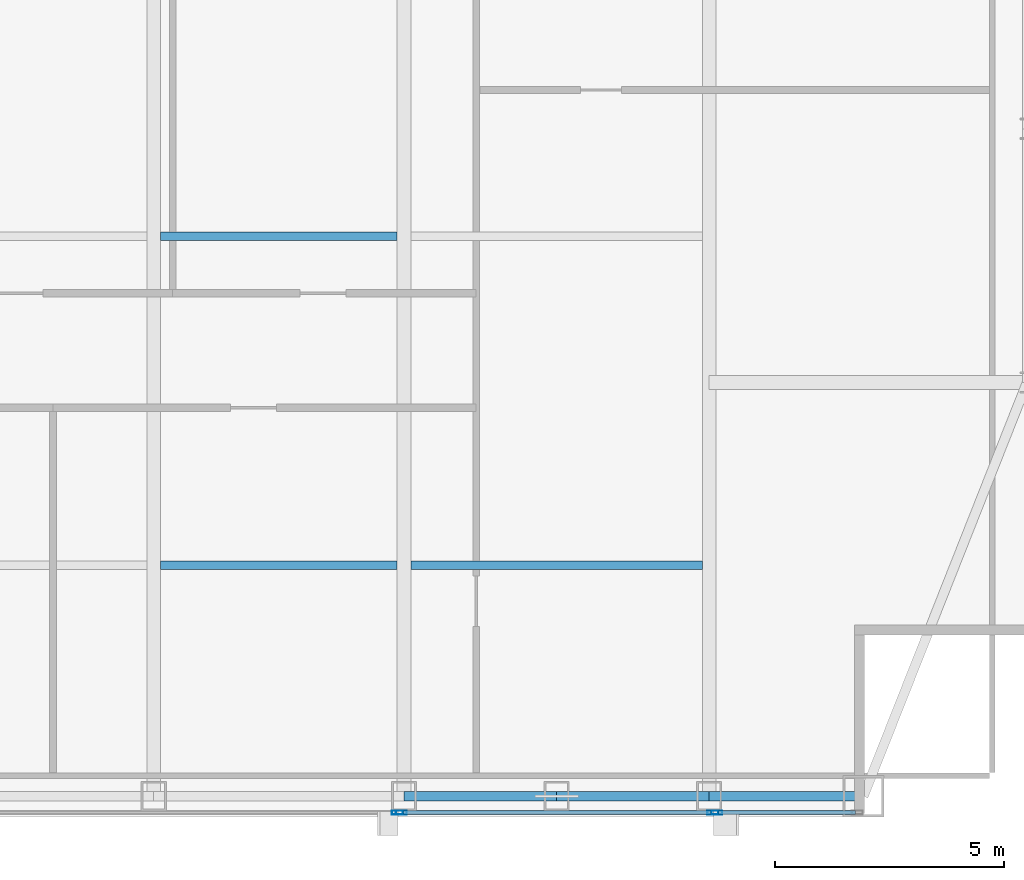
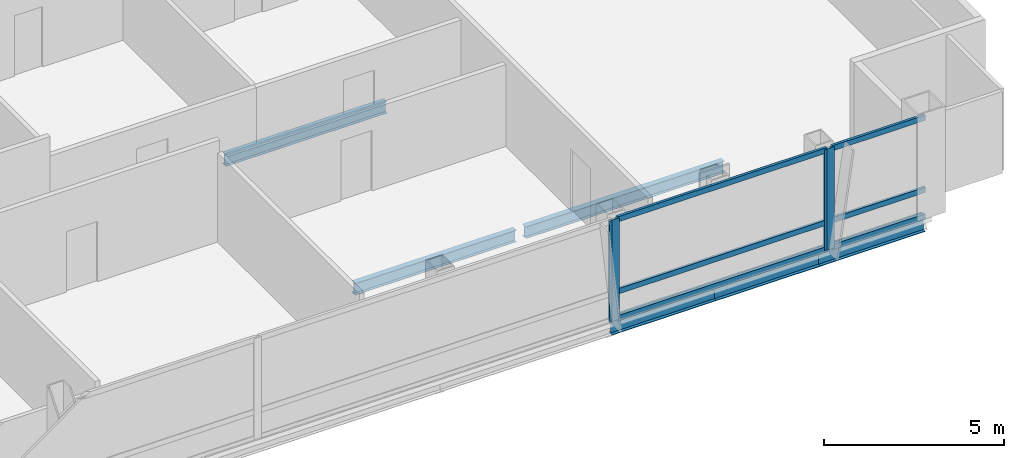
# One storey, part 11 of 25: 10 members, 6 beams, 3 elements without a shape of their own.
"""IFC4 building model written with IfcOpenShell, lengths in metres."""

from ifc_helpers import new_model, si_unit, direction, frame, origin, origin_2d, place, context, subcontext, project, spatial, hollow_rectangle, i_section, extrude, material, material_profile, profile_set, type_object, element, aggregate, save


model = new_model("IFC4")

# Units and contexts
model_context = context("Model", 3, precision=1e-05, world=origin(), true_north=direction((0.0, 1.0)))
body_context = subcontext(model_context, "Body", "Model", "MODEL_VIEW")
ifc_project = project(units=[si_unit("LENGTHUNIT", "METRE"), si_unit("AREAUNIT", "SQUARE_METRE"), si_unit("VOLUMEUNIT", "CUBIC_METRE"), si_unit("PLANEANGLEUNIT", "RADIAN"), si_unit("MASSUNIT", "GRAM", prefix="KILO")], contexts=[model_context])

# Site, building, storey
site_placement = place(None, origin())
site = spatial("IfcSite", under=ifc_project, at=site_placement, CompositionType="ELEMENT")
building_placement = place(site_placement, origin())
building = spatial("IfcBuilding", under=site, at=building_placement, Name="Khoronbel Lancet Exchange", CompositionType="ELEMENT")
storey_placement = place(building_placement, frame((0.0, 0.0, 298.60009765625)))
storey = spatial("IfcBuildingStorey", under=building, at=storey_placement, Name="L77", CompositionType="ELEMENT", Elevation=298.60009765625)

# Beams
ifc_material_1 = material(Name="Steel S355", Category="steel")
ifc_material_profile_1 = material_profile(ifc_material_1, i_section(OverallWidth=0.179931640625, OverallDepth=0.39990234375, WebThickness=0.008544921875, FlangeThickness=0.013427734375, at=origin_2d()), Name="IPE 400")
ifc_profile_set_1 = profile_set([ifc_material_profile_1], Name="Steel S355")
beam_type_1 = type_object("IfcBeamType", Name="BM-BJ5", PredefinedType="JOIST", material=ifc_profile_set_1)
beam_1_placement = place(storey_placement, frame((42.675048828125, 15.199951171875, -0.360107421875), z_axis=(1.0, 0.0, 0.0), x_axis=(0.0, 1.0, 0.0)))
element("IfcBeam", 1, at=beam_1_placement, inside=storey, type_object=beam_type_1, Name="Level L77 secondary composite joist J04", PredefinedType="JOIST", context=body_context, shape_type="SweptSolid", body=[
    extrude(i_section(OverallWidth=0.179931640625, OverallDepth=0.39990234375, WebThickness=0.008544921875, FlangeThickness=0.013427734375, at=origin_2d()), origin(), (0.0, 0.0, 1.0), 5.175048828125),
])
beam_2_placement = place(storey_placement, frame((48.14990234375, 15.199951171875, -0.360107421875), z_axis=(1.0, 0.0, 0.0), x_axis=(0.0, 1.0, 0.0)))
element("IfcBeam", 2, at=beam_2_placement, inside=storey, type_object=beam_type_1, Name="Level L77 secondary composite joist J05", PredefinedType="JOIST", context=body_context, shape_type="SweptSolid", body=[
    extrude(i_section(OverallWidth=0.179931640625, OverallDepth=0.39990234375, WebThickness=0.008544921875, FlangeThickness=0.013427734375, at=origin_2d()), origin(), (0.0, 0.0, 1.0), 6.375),
])
beam_3_placement = place(storey_placement, frame((42.675048828125, 22.39990234375, -0.360107421875), z_axis=(1.0, 0.0, 0.0), x_axis=(0.0, 1.0, 0.0)))
element("IfcBeam", 3, at=beam_3_placement, inside=storey, type_object=beam_type_1, Name="Level L77 secondary composite joist J09", PredefinedType="JOIST", context=body_context, shape_type="SweptSolid", body=[
    extrude(i_section(OverallWidth=0.179931640625, OverallDepth=0.39990234375, WebThickness=0.008544921875, FlangeThickness=0.013427734375, at=origin_2d()), origin(), (0.0, 0.0, 1.0), 5.175048828125),
])
ifc_material_profile_2 = material_profile(ifc_material_1, i_section(OverallWidth=0.2099609375, OverallDepth=0.550048828125, WebThickness=0.010986328125, FlangeThickness=0.01708984375, at=origin_2d()), Name="IPE 550")
ifc_profile_set_2 = profile_set([ifc_material_profile_2], Name="Steel S355")
beam_type_2 = type_object("IfcBeamType", Name="BM-BSP3", PredefinedType="SPANDREL", material=ifc_profile_set_2)
beam_4_placement = place(storey_placement, frame((48.0, 10.14990234375, -0.43505859375), z_axis=(1.0, 0.0, 0.0), x_axis=(0.0, 1.0, 0.0)))
element("IfcBeam", 4, at=beam_4_placement, inside=storey, type_object=beam_type_2, Name="Level L77 perimeter spandrel beam SP07", PredefinedType="SPANDREL", context=body_context, shape_type="SweptSolid", body=[
    extrude(i_section(OverallWidth=0.2099609375, OverallDepth=0.550048828125, WebThickness=0.010986328125, FlangeThickness=0.01708984375, at=origin_2d()), origin(), (0.0, 0.0, 1.0), 3.33740234375),
])
beam_5_placement = place(storey_placement, frame((51.33740234375, 10.14990234375, -0.43505859375), z_axis=(1.0, 0.0, 0.0), x_axis=(0.0, 1.0, 0.0)))
element("IfcBeam", 5, at=beam_5_placement, inside=storey, type_object=beam_type_2, Name="Level L77 perimeter spandrel beam SP08", PredefinedType="SPANDREL", context=body_context, shape_type="SweptSolid", body=[
    extrude(i_section(OverallWidth=0.2099609375, OverallDepth=0.550048828125, WebThickness=0.010986328125, FlangeThickness=0.01708984375, at=origin_2d()), origin(), (0.0, 0.0, 1.0), 3.337646484375),
])
beam_6_placement = place(storey_placement, frame((54.675048828125, 10.14990234375, -0.43505859375), z_axis=(1.0, 0.0, 0.0), x_axis=(0.0, 1.0, 0.0)))
element("IfcBeam", 6, at=beam_6_placement, inside=storey, type_object=beam_type_2, Name="Level L77 perimeter spandrel beam SP09", PredefinedType="SPANDREL", context=body_context, shape_type="SweptSolid", body=[
    extrude(i_section(OverallWidth=0.2099609375, OverallDepth=0.550048828125, WebThickness=0.010986328125, FlangeThickness=0.01708984375, at=origin_2d()), origin(), (0.0, 0.0, 1.0), 3.375),
])

# Curtain wall, member
ifc_material_2 = material(Name="Low-E Solar Control Insulating Glass", Category="glass")
curtain_wall_type = type_object("IfcCurtainWallType", Name="CW-3", PredefinedType="NOTDEFINED", material=ifc_material_2)
curtain_wall_1_placement = place(storey_placement, origin())
curtain_wall_1 = element("IfcCurtainWall", 7, at=curtain_wall_1_placement, inside=storey, type_object=curtain_wall_type, Name="Unitised curtain wall CW-L77-SCV", PredefinedType="NOTDEFINED")
ifc_material_3 = material(Name="Bronze-Anodised Aluminium 6063-T6", Category="aluminium")
ifc_material_profile_3 = material_profile(ifc_material_3, hollow_rectangle(XDim=0.0849609375, YDim=0.239990234375, WallThickness=0.006103515625, at=origin_2d()), Name="ALU MULLION 85x240")
ifc_profile_set_3 = profile_set([ifc_material_profile_3], Name="Bronze-Anodised Aluminium 6063-T6")
member_type_1 = type_object("IfcMemberType", Name="MEM-CWM1", PredefinedType="MULLION", material=ifc_profile_set_3)
member_1_placement = place(storey_placement, frame((47.857421875, 9.7900390625, 0.0), z_axis=(0.0, 0.0, 1.0), x_axis=(0.0, 1.0, 0.0)))
member_1 = element("IfcMember", 8, at=member_1_placement, type_object=member_type_1, Name="CW3 mullion 3", PredefinedType="MULLION", context=body_context, shape_type="SweptSolid", body=[
    extrude(hollow_rectangle(XDim=0.0849609375, YDim=0.239990234375, WallThickness=0.006103515625, at=origin_2d()), origin(), (0.0, 0.0, 1.0), 3.43994140625),
])
aggregate(curtain_wall_1, [member_1])

# Curtain wall, members
curtain_wall_2_placement = place(storey_placement, origin())
curtain_wall_2 = element("IfcCurtainWall", 9, at=curtain_wall_2_placement, inside=storey, type_object=curtain_wall_type, Name="Unitised curtain wall CW-L77-SEB", PredefinedType="NOTDEFINED")
member_2_placement = place(storey_placement, frame((47.9423828125, 9.7900390625, 0.0), z_axis=(0.0, 0.0, 1.0), x_axis=(0.0, 1.0, 0.0)))
member_2 = element("IfcMember", 10, at=member_2_placement, type_object=member_type_1, Name="CW3 mullion 1", PredefinedType="MULLION", context=body_context, shape_type="SweptSolid", body=[
    extrude(hollow_rectangle(XDim=0.0849609375, YDim=0.239990234375, WallThickness=0.006103515625, at=origin_2d()), origin(), (0.0, 0.0, 1.0), 3.43994140625),
])
member_3_placement = place(storey_placement, frame((54.757568359375, 9.7900390625, 0.0), z_axis=(0.0, 0.0, 1.0), x_axis=(0.0, 1.0, 0.0)))
member_3 = element("IfcMember", 11, at=member_3_placement, type_object=member_type_1, Name="CW3 mullion 2", PredefinedType="MULLION", context=body_context, shape_type="SweptSolid", body=[
    extrude(hollow_rectangle(XDim=0.0849609375, YDim=0.239990234375, WallThickness=0.006103515625, at=origin_2d()), origin(), (0.0, 0.0, 1.0), 3.43994140625),
])

# Curtain wall, member
curtain_wall_3_placement = place(storey_placement, origin())
curtain_wall_3 = element("IfcCurtainWall", 12, at=curtain_wall_3_placement, inside=storey, type_object=curtain_wall_type, Name="Unitised curtain wall CW-L77-SEV", PredefinedType="NOTDEFINED")
member_4_placement = place(storey_placement, frame((54.842529296875, 9.7900390625, 0.0), z_axis=(0.0, 0.0, 1.0), x_axis=(0.0, 1.0, 0.0)))
member_4 = element("IfcMember", 13, at=member_4_placement, type_object=member_type_1, Name="CW3 mullion 1", PredefinedType="MULLION", context=body_context, shape_type="SweptSolid", body=[
    extrude(hollow_rectangle(XDim=0.0849609375, YDim=0.239990234375, WallThickness=0.006103515625, at=origin_2d()), origin(), (0.0, 0.0, 1.0), 3.43994140625),
])

# Member
ifc_material_profile_4 = material_profile(ifc_material_3, hollow_rectangle(XDim=0.0849609375, YDim=0.179931640625, WallThickness=0.0048828125, at=origin_2d()), Name="ALU TRANSOM 85x180")
ifc_profile_set_4 = profile_set([ifc_material_profile_4], Name="Bronze-Anodised Aluminium 6063-T6")
member_type_2 = type_object("IfcMemberType", Name="MEM-CWT1", PredefinedType="USERDEFINED", material=ifc_profile_set_4)
member_5_placement = place(storey_placement, frame((47.985107421875, 9.7900390625, 0.04248046875), z_axis=(1.0, 0.0, 0.0), x_axis=(0.0, 1.0, 0.0)))
member_5 = element("IfcMember", 14, at=member_5_placement, type_object=member_type_2, Name="CW3 transom 1.1", ObjectType="TRANSOM", PredefinedType="USERDEFINED", context=body_context, shape_type="SweptSolid", body=[
    extrude(hollow_rectangle(XDim=0.0849609375, YDim=0.179931640625, WallThickness=0.0048828125, at=origin_2d()), origin(), (0.0, 0.0, 1.0), 6.72998046875),
])

member_6_placement = place(storey_placement, frame((47.985107421875, 9.7900390625, 0.949951171875), z_axis=(1.0, 0.0, 0.0), x_axis=(0.0, 1.0, 0.0)))
member_6 = element("IfcMember", 15, at=member_6_placement, type_object=member_type_2, Name="CW3 transom 1.2", ObjectType="TRANSOM", PredefinedType="USERDEFINED", context=body_context, shape_type="SweptSolid", body=[
    extrude(hollow_rectangle(XDim=0.0849609375, YDim=0.179931640625, WallThickness=0.0048828125, at=origin_2d()), origin(), (0.0, 0.0, 1.0), 6.72998046875),
])

member_7_placement = place(storey_placement, frame((47.985107421875, 9.7900390625, 3.3974609375), z_axis=(1.0, 0.0, 0.0), x_axis=(0.0, 1.0, 0.0)))
member_7 = element("IfcMember", 16, at=member_7_placement, type_object=member_type_2, Name="CW3 transom 1.3", ObjectType="TRANSOM", PredefinedType="USERDEFINED", context=body_context, shape_type="SweptSolid", body=[
    extrude(hollow_rectangle(XDim=0.0849609375, YDim=0.179931640625, WallThickness=0.0048828125, at=origin_2d()), origin(), (0.0, 0.0, 1.0), 6.72998046875),
])

aggregate(curtain_wall_2, [member_2, member_3, member_5, member_6, member_7])

member_8_placement = place(storey_placement, frame((54.885009765625, 9.7900390625, 0.04248046875), z_axis=(1.0, 0.0, 0.0), x_axis=(0.0, 1.0, 0.0)))
member_8 = element("IfcMember", 17, at=member_8_placement, type_object=member_type_2, Name="CW3 transom 1.1", ObjectType="TRANSOM", PredefinedType="USERDEFINED", context=body_context, shape_type="SweptSolid", body=[
    extrude(hollow_rectangle(XDim=0.0849609375, YDim=0.179931640625, WallThickness=0.0048828125, at=origin_2d()), origin(), (0.0, 0.0, 1.0), 2.989990234375),
])

member_9_placement = place(storey_placement, frame((54.885009765625, 9.7900390625, 0.949951171875), z_axis=(1.0, 0.0, 0.0), x_axis=(0.0, 1.0, 0.0)))
member_9 = element("IfcMember", 18, at=member_9_placement, type_object=member_type_2, Name="CW3 transom 1.2", ObjectType="TRANSOM", PredefinedType="USERDEFINED", context=body_context, shape_type="SweptSolid", body=[
    extrude(hollow_rectangle(XDim=0.0849609375, YDim=0.179931640625, WallThickness=0.0048828125, at=origin_2d()), origin(), (0.0, 0.0, 1.0), 2.989990234375),
])

member_10_placement = place(storey_placement, frame((54.885009765625, 9.7900390625, 3.3974609375), z_axis=(1.0, 0.0, 0.0), x_axis=(0.0, 1.0, 0.0)))
member_10 = element("IfcMember", 19, at=member_10_placement, type_object=member_type_2, Name="CW3 transom 1.3", ObjectType="TRANSOM", PredefinedType="USERDEFINED", context=body_context, shape_type="SweptSolid", body=[
    extrude(hollow_rectangle(XDim=0.0849609375, YDim=0.179931640625, WallThickness=0.0048828125, at=origin_2d()), origin(), (0.0, 0.0, 1.0), 2.989990234375),
])

aggregate(curtain_wall_3, [member_4, member_8, member_9, member_10])

save(model, "model.ifc")
